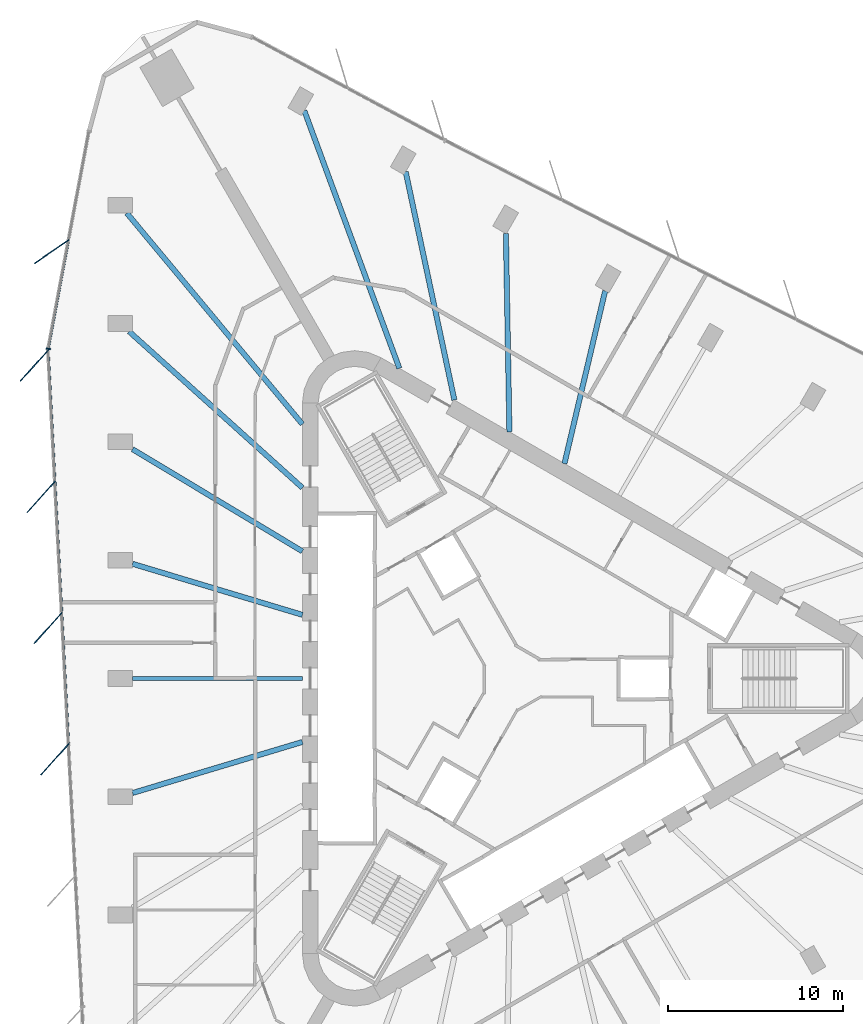
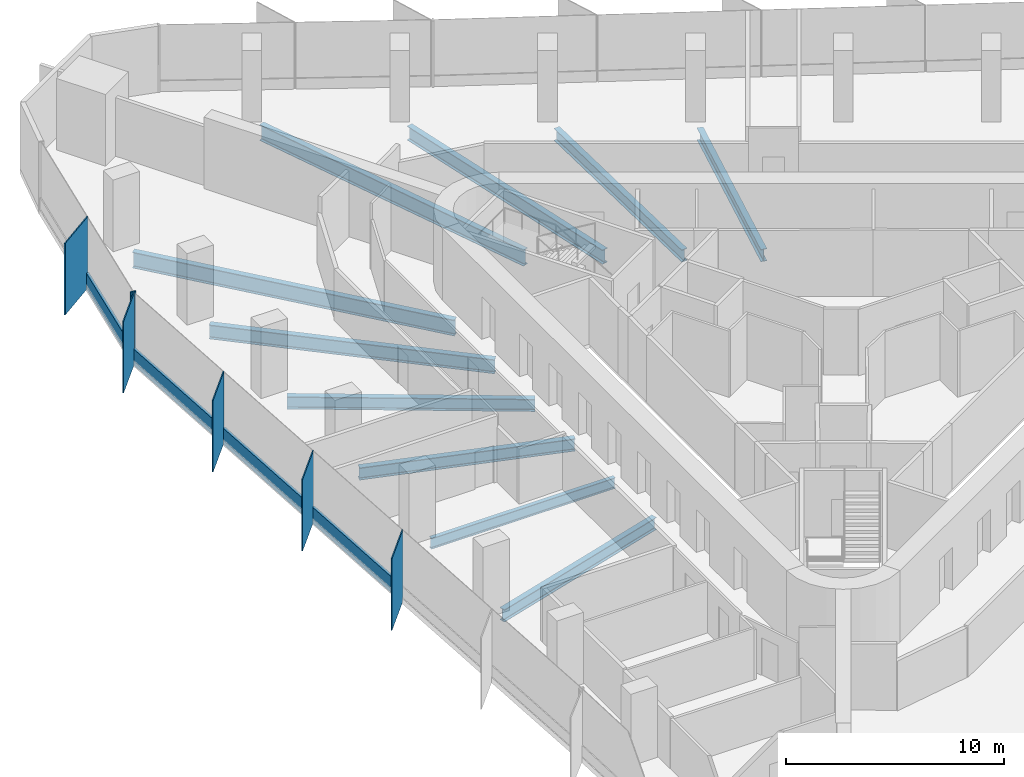
# One storey, part 4 of 13: 10 beams, 10 members, 2 elements without a shape of their own.
"""IFC4 building model written with IfcOpenShell, lengths in metres."""

from ifc_helpers import new_model, si_unit, direction, frame, origin, origin_2d, place, context, subcontext, project, spatial, rectangle, i_section, extrude, material, material_profile, profile_set, type_object, element, aggregate, save


model = new_model("IFC4")

# Units and contexts
model_context = context("Model", 3, precision=1e-05, world=origin(), true_north=direction((0.0, 1.0)))
body_context = subcontext(model_context, "Body", "Model", "MODEL_VIEW")
ifc_project = project(units=[si_unit("LENGTHUNIT", "METRE"), si_unit("AREAUNIT", "SQUARE_METRE"), si_unit("VOLUMEUNIT", "CUBIC_METRE"), si_unit("PLANEANGLEUNIT", "RADIAN"), si_unit("MASSUNIT", "GRAM", prefix="KILO")], contexts=[model_context])

# Site, building, storey
site_placement = place(None, origin())
site = spatial("IfcSite", under=ifc_project, at=site_placement, CompositionType="ELEMENT")
building_placement = place(site_placement, origin())
building = spatial("IfcBuilding", under=site, at=building_placement, Name="Tanit Gate Tower", CompositionType="ELEMENT")
storey_placement = place(building_placement, frame((0.0, 0.0, 177.199951171875)))
storey = spatial("IfcBuildingStorey", under=building, at=storey_placement, Name="L38", CompositionType="ELEMENT", Elevation=177.199951171875)

# Curtain wall, member
ifc_material_1 = material(Name="Aluminium bronze anodised and glass", Category="aluminium")
curtain_wall_type = type_object("IfcCurtainWallType", Name="Curtain wall typical mid", PredefinedType="NOTDEFINED", material=ifc_material_1)
curtain_wall_1_placement = place(storey_placement, origin())
curtain_wall_1 = element("IfcCurtainWall", 1, at=curtain_wall_1_placement, inside=storey, type_object=curtain_wall_type, Name="Curtain wall L38 W1", PredefinedType="NOTDEFINED")
ifc_material_2 = material(Name="Aluminium bronze anodised", Category="aluminium")
ifc_material_profile_1 = material_profile(ifc_material_2, rectangle(XDim=2.39990234375, YDim=0.055908203125, at=origin_2d()), Name="56x2400 bronze fin mullion")
ifc_profile_set_1 = profile_set([ifc_material_profile_1], Name="Aluminium bronze anodised")
member_type_1 = type_object("IfcMemberType", Name="FIN MULLION 56x2400 bronze", PredefinedType="MULLION", material=ifc_profile_set_1)
member_1_placement = place(storey_placement, frame((-26.4541015625, 24.430908203125, -0.300048828125), z_axis=(0.0, 0.0, 1.0), x_axis=(0.825254067471, 0.564761652489, 0.0)))
member_1 = element("IfcMember", 2, at=member_1_placement, type_object=member_type_1, Name="Fin mullion L38 W1.2", PredefinedType="MULLION", context=body_context, shape_type="SweptSolid", body=[
    extrude(rectangle(XDim=2.39990234375, YDim=0.055908203125, at=origin_2d()), origin(), (0.0, 0.0, 1.0), 4.0),
])

# Curtain wall, members
curtain_wall_2_placement = place(storey_placement, origin())
curtain_wall_2 = element("IfcCurtainWall", 3, at=curtain_wall_2_placement, inside=storey, type_object=curtain_wall_type, Name="Curtain wall L38 W2", PredefinedType="NOTDEFINED")
member_2_placement = place(storey_placement, frame((-27.443359375, 17.911865234375, -0.300048828125), z_axis=(0.0, 0.0, 1.0), x_axis=(0.66948111798, 0.742829073656, 0.0)))
member_2 = element("IfcMember", 4, at=member_2_placement, type_object=member_type_1, Name="Fin mullion L38 W2.1", PredefinedType="MULLION", context=body_context, shape_type="SweptSolid", body=[
    extrude(rectangle(XDim=2.39990234375, YDim=0.055908203125, at=origin_2d()), origin(), (0.0, 0.0, 1.0), 4.0),
])
member_3_placement = place(storey_placement, frame((-27.052978515625, 10.396240234375, -0.300048828125), z_axis=(0.0, 0.0, 1.0), x_axis=(0.66948111798, 0.742829073656, 0.0)))
member_3 = element("IfcMember", 5, at=member_3_placement, type_object=member_type_1, Name="Fin mullion L38 W2.2", PredefinedType="MULLION", context=body_context, shape_type="SweptSolid", body=[
    extrude(rectangle(XDim=2.39990234375, YDim=0.055908203125, at=origin_2d()), origin(), (0.0, 0.0, 1.0), 4.0),
])
member_4_placement = place(storey_placement, frame((-26.66259765625, 2.880615234375, -0.300048828125), z_axis=(0.0, 0.0, 1.0), x_axis=(0.66948111798, 0.742829073656, 0.0)))
member_4 = element("IfcMember", 6, at=member_4_placement, type_object=member_type_1, Name="Fin mullion L38 W2.3", PredefinedType="MULLION", context=body_context, shape_type="SweptSolid", body=[
    extrude(rectangle(XDim=2.39990234375, YDim=0.055908203125, at=origin_2d()), origin(), (0.0, 0.0, 1.0), 4.0),
])
member_5_placement = place(storey_placement, frame((-26.2724609375, -4.635009765625, -0.300048828125), z_axis=(0.0, 0.0, 1.0), x_axis=(0.66948111798, 0.742829073656, 0.0)))
member_5 = element("IfcMember", 7, at=member_5_placement, type_object=member_type_1, Name="Fin mullion L38 W2.4", PredefinedType="MULLION", context=body_context, shape_type="SweptSolid", body=[
    extrude(rectangle(XDim=2.39990234375, YDim=0.055908203125, at=origin_2d()), origin(), (0.0, 0.0, 1.0), 4.0),
])

# Member
ifc_material_3 = material(Name="Aluminium bronze anodised", Category="aluminium")
ifc_material_profile_2 = material_profile(ifc_material_3, rectangle(XDim=0.260009765625, YDim=0.080078125, at=origin_2d()), Name="80x260 bronze mullion")
ifc_profile_set_2 = profile_set([ifc_material_profile_2], Name="Aluminium bronze anodised")
member_type_2 = type_object("IfcMemberType", Name="Mullion 80x260 typical mid", PredefinedType="MULLION", material=ifc_profile_set_2)
member_6_placement = place(storey_placement, frame((-26.64892578125, 18.86669921875, -0.300048828125), z_axis=(0.0, 0.0, 1.0), x_axis=(0.98288954154, -0.184195953081, 0.0)))
member_6 = element("IfcMember", 8, at=member_6_placement, type_object=member_type_2, Name="Mullion L38 W1.3", PredefinedType="MULLION", context=body_context, shape_type="SweptSolid", body=[
    extrude(rectangle(XDim=0.260009765625, YDim=0.080078125, at=origin_2d()), origin(), (0.0, 0.0, 1.0), 4.0),
])

# Beams
ifc_material_4 = material(Name="Steel S355", Category="steel")
ifc_material_profile_3 = material_profile(ifc_material_4, i_section(OverallWidth=0.300048828125, OverallDepth=0.68994140625, WebThickness=0.014404296875, FlangeThickness=0.027099609375, FilletRadius=0.027099609375, at=origin_2d()), Name="HEA 700")
ifc_profile_set_3 = profile_set([ifc_material_profile_3], Name="Steel S355")
beam_type_1 = type_object("IfcBeamType", Name="RADIAL GIRDER HEA 700 S355", PredefinedType="BEAM", material=ifc_profile_set_3)
beam_1_placement = place(storey_placement, frame((-21.823486328125, -6.560546875, -0.64501953125), z_axis=(0.957665283908, 0.287884011361, 0.0), x_axis=(-0.287884011361, 0.957665283908, 0.0)))
element("IfcBeam", 9, at=beam_1_placement, inside=storey, type_object=beam_type_1, Name="RADIAL GIRDER", PredefinedType="BEAM", context=body_context, shape_type="SweptSolid", body=[
    extrude(i_section(OverallWidth=0.300048828125, OverallDepth=0.68994140625, WebThickness=0.014404296875, FlangeThickness=0.027099609375, FilletRadius=0.027099609375, at=origin_2d()), origin(), (0.0, 0.0, 1.0), 10.151123046875),
])
beam_2_placement = place(storey_placement, frame((5.22998046875, 22.18017578125, -0.64501953125), z_axis=(-0.22948703754, -0.973311717592, 0.0), x_axis=(0.973311717592, -0.22948703754, 0.0)))
element("IfcBeam", 10, at=beam_2_placement, inside=storey, type_object=beam_type_1, Name="RADIAL GIRDER", PredefinedType="BEAM", context=body_context, shape_type="SweptSolid", body=[
    extrude(i_section(OverallWidth=0.300048828125, OverallDepth=0.68994140625, WebThickness=0.014404296875, FlangeThickness=0.027099609375, FilletRadius=0.027099609375, at=origin_2d()), origin(), (0.0, 0.0, 1.0), 10.1513671875),
])
for number, where, z_axis, x_axis, name in (
    (11, (-0.451416015625, 25.460205078125, -0.64501953125), (0.017734805859, -0.999842725963, 0.0), (0.999842725963, 0.017734805859, 0.0), "RADIAL GIRDER"),
    (12, (-21.823486328125, 13.12109375, -0.64501953125), (0.857021594062, -0.51528049382, 0.0), (0.51528049382, 0.857021594062, 0.0), "RADIAL GIRDER"),
):
    element("IfcBeam", number, at=place(storey_placement, frame(where, z_axis=z_axis, x_axis=x_axis)), inside=storey, type_object=beam_type_1, Name=name, PredefinedType="BEAM", context=body_context, shape_type="SweptSolid", body=[
        extrude(i_section(OverallWidth=0.300048828125, OverallDepth=0.68994140625, WebThickness=0.014404296875, FlangeThickness=0.027099609375, FilletRadius=0.027099609375, at=origin_2d()), origin(), (0.0, 0.0, 1.0), 11.34326171875),
    ])
beam_3_placement = place(storey_placement, frame((-21.823486328125, 6.560546875, -0.64501953125), z_axis=(0.957665283908, -0.287884011361, 0.0), x_axis=(0.287884011361, 0.957665283908, 0.0)))
element("IfcBeam", 13, at=beam_3_placement, inside=storey, type_object=beam_type_1, Name="RADIAL GIRDER", PredefinedType="BEAM", context=body_context, shape_type="SweptSolid", body=[
    extrude(i_section(OverallWidth=0.300048828125, OverallDepth=0.68994140625, WebThickness=0.014404296875, FlangeThickness=0.027099609375, FilletRadius=0.027099609375, at=origin_2d()), origin(), (0.0, 0.0, 1.0), 10.151123046875),
])
ifc_material_5 = material(Name="Steel S355", Category="steel")
ifc_material_profile_4 = material_profile(ifc_material_5, i_section(OverallWidth=0.300048828125, OverallDepth=0.7900390625, WebThickness=0.014892578125, FlangeThickness=0.028076171875, FilletRadius=0.030029296875, at=origin_2d()), Name="HEA 800")
ifc_profile_set_4 = profile_set([ifc_material_profile_4], Name="Steel S355")
beam_type_2 = type_object("IfcBeamType", Name="RADIAL GIRDER HEA 800 S355", PredefinedType="BEAM", material=ifc_profile_set_4)
beam_4_placement = place(storey_placement, frame((-6.189453125, 29.00537109375, -0.695068359375), z_axis=(0.208696725108, -0.977980407232, 0.0), x_axis=(0.977980407232, 0.208696725108, 0.0)))
element("IfcBeam", 14, at=beam_4_placement, inside=storey, type_object=beam_type_2, Name="RADIAL GIRDER", PredefinedType="BEAM", context=body_context, shape_type="SweptSolid", body=[
    extrude(i_section(OverallWidth=0.300048828125, OverallDepth=0.7900390625, WebThickness=0.014892578125, FlangeThickness=0.028076171875, FilletRadius=0.030029296875, at=origin_2d()), origin(), (0.0, 0.0, 1.0), 13.36181640625),
])
beam_5_placement = place(storey_placement, frame((-22.024658203125, 19.86279296875, -0.695068359375), z_axis=(0.742618722564, -0.669714441309, 0.0), x_axis=(0.669714441309, 0.742618722564, 0.0)))
element("IfcBeam", 15, at=beam_5_placement, inside=storey, type_object=beam_type_2, Name="RADIAL GIRDER", PredefinedType="BEAM", context=body_context, shape_type="SweptSolid", body=[
    extrude(i_section(OverallWidth=0.300048828125, OverallDepth=0.7900390625, WebThickness=0.014892578125, FlangeThickness=0.028076171875, FilletRadius=0.030029296875, at=origin_2d()), origin(), (0.0, 0.0, 1.0), 13.361572265625),
])
ifc_material_6 = material(Name="Steel S355", Category="steel")
ifc_material_profile_5 = material_profile(ifc_material_6, i_section(OverallWidth=0.300048828125, OverallDepth=0.889892578125, WebThickness=0.01611328125, FlangeThickness=0.030029296875, FilletRadius=0.030029296875, at=origin_2d()), Name="HEA 900")
ifc_profile_set_5 = profile_set([ifc_material_profile_5], Name="Steel S355")
beam_type_3 = type_object("IfcBeamType", Name="RADIAL GIRDER HEA 900 S355", PredefinedType="BEAM", material=ifc_profile_set_5)
for number, where, z_axis, x_axis, name in (
    (16, (-11.990966796875, 32.498779296875, -0.744873046875), (0.346151727989, -0.93817854442, 0.0), (0.93817854442, 0.346151727989, 0.0), "RADIAL GIRDER"),
    (17, (-22.1494140625, 26.6337890625, -0.744873046875), (0.639410789887, -0.768865294949, 0.0), (0.768865294949, 0.639410789887, 0.0), "RADIAL GIRDER"),
):
    element("IfcBeam", number, at=place(storey_placement, frame(where, z_axis=z_axis, x_axis=x_axis)), inside=storey, type_object=beam_type_3, Name=name, PredefinedType="BEAM", context=body_context, shape_type="SweptSolid", body=[
        extrude(i_section(OverallWidth=0.300048828125, OverallDepth=0.889892578125, WebThickness=0.01611328125, FlangeThickness=0.030029296875, FilletRadius=0.030029296875, at=origin_2d()), origin(), (0.0, 0.0, 1.0), 15.71337890625),
    ])
ifc_material_7 = material(Name="Steel S355", Category="steel")
ifc_material_profile_6 = material_profile(ifc_material_7, i_section(OverallWidth=0.219970703125, OverallDepth=0.60009765625, WebThickness=0.011962890625, FlangeThickness=0.01904296875, FilletRadius=0.02392578125, at=origin_2d()), Name="IPE 600")
ifc_profile_set_6 = profile_set([ifc_material_profile_6], Name="Steel S355")
beam_type_4 = type_object("IfcBeamType", Name="RADIAL GIRDER IPE 600 S355", PredefinedType="BEAM", material=ifc_profile_set_6)
beam_6_placement = place(storey_placement, frame((-21.823486328125, 0.0, -0.599853515625), z_axis=(1.0, 0.0, 0.0), x_axis=(0.0, 1.0, 0.0)))
element("IfcBeam", 18, at=beam_6_placement, inside=storey, type_object=beam_type_4, Name="RADIAL GIRDER", PredefinedType="BEAM", context=body_context, shape_type="SweptSolid", body=[
    extrude(i_section(OverallWidth=0.219970703125, OverallDepth=0.60009765625, WebThickness=0.011962890625, FlangeThickness=0.01904296875, FilletRadius=0.02392578125, at=origin_2d()), origin(), (0.0, 0.0, 1.0), 9.721435546875),
])

# Member
ifc_material_8 = material(Name="Aluminium bronze anodised", Category="aluminium")
ifc_material_profile_7 = material_profile(ifc_material_8, rectangle(XDim=0.139892578125, YDim=0.89990234375, at=origin_2d()), Name="140x900 bronze transom")
ifc_profile_set_7 = profile_set([ifc_material_profile_7], Name="Aluminium bronze anodised")
member_type_3 = type_object("IfcMemberType", Name="Transom 140x900 typical mid", PredefinedType="USERDEFINED", material=ifc_profile_set_7)
member_7_placement = place(storey_placement, frame((-25.48876953125, 25.057373046875, 0.150146484375), z_axis=(-0.184173118733, -0.982893820479, 0.0), x_axis=(0.982893820479, -0.184173118733, 0.0)))
member_7 = element("IfcMember", 19, at=member_7_placement, type_object=member_type_3, Name="Transom L38 W1.2", ObjectType="TRANSOM", PredefinedType="USERDEFINED", context=body_context, shape_type="SweptSolid", body=[
    extrude(rectangle(XDim=0.139892578125, YDim=0.89990234375, at=origin_2d()), origin(), (0.0, 0.0, 1.0), 6.258056640625),
])

aggregate(curtain_wall_1, [member_1, member_6, member_7])

member_8_placement = place(storey_placement, frame((-26.652099609375, 18.74755859375, 0.150146484375), z_axis=(0.051872154399, -0.998653733582, 0.0), x_axis=(0.998653733582, 0.051872154399, 0.0)))
member_8 = element("IfcMember", 20, at=member_8_placement, type_object=member_type_3, Name="Transom L38 W2.1", ObjectType="TRANSOM", PredefinedType="USERDEFINED", context=body_context, shape_type="SweptSolid", body=[
    extrude(rectangle(XDim=0.139892578125, YDim=0.89990234375, at=origin_2d()), origin(), (0.0, 0.0, 1.0), 7.44580078125),
])

member_9_placement = place(storey_placement, frame((-26.26171875, 11.23193359375, 0.150146484375), z_axis=(0.051872154399, -0.998653733582, 0.0), x_axis=(0.998653733582, 0.051872154399, 0.0)))
member_9 = element("IfcMember", 21, at=member_9_placement, type_object=member_type_3, Name="Transom L38 W2.2", ObjectType="TRANSOM", PredefinedType="USERDEFINED", context=body_context, shape_type="SweptSolid", body=[
    extrude(rectangle(XDim=0.139892578125, YDim=0.89990234375, at=origin_2d()), origin(), (0.0, 0.0, 1.0), 7.44580078125),
])

member_10_placement = place(storey_placement, frame((-25.871337890625, 3.71630859375, 0.150146484375), z_axis=(0.051839453569, -0.998655431595, 0.0), x_axis=(0.998655431595, 0.051839453569, 0.0)))
member_10 = element("IfcMember", 22, at=member_10_placement, type_object=member_type_3, Name="Transom L38 W2.3", ObjectType="TRANSOM", PredefinedType="USERDEFINED", context=body_context, shape_type="SweptSolid", body=[
    extrude(rectangle(XDim=0.139892578125, YDim=0.89990234375, at=origin_2d()), origin(), (0.0, 0.0, 1.0), 7.44580078125),
])

aggregate(curtain_wall_2, [member_2, member_3, member_4, member_5, member_8, member_9, member_10])

save(model, "model.ifc")
